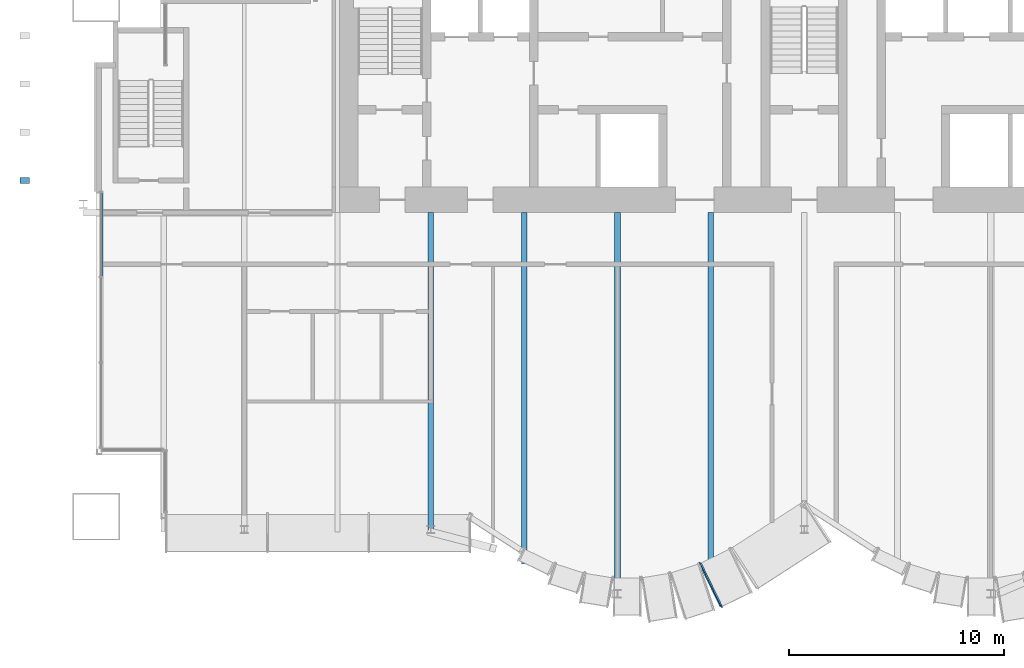
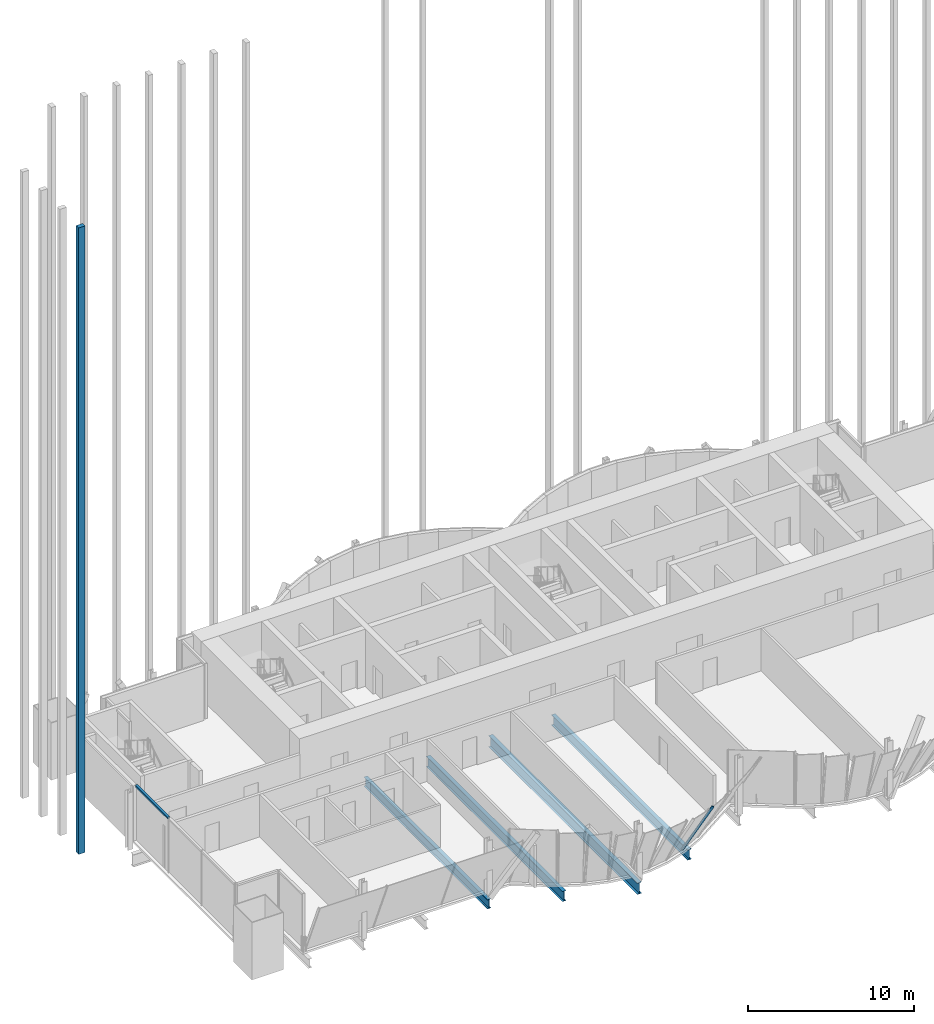
# One storey, part 6 of 28: 4 beams, 3 members, 3 elements without a shape of their own.
"""IFC4 building model written with IfcOpenShell, lengths in metres."""

from ifc_helpers import new_model, si_unit, direction, frame, origin, origin_2d, place, context, subcontext, project, spatial, rectangle, i_section, extrude, material, material_profile, profile_set, type_object, element, aggregate, save


model = new_model("IFC4")

# Units and contexts
model_context = context("Model", 3, precision=1e-05, world=origin(), true_north=direction((0.0, 1.0)))
body_context = subcontext(model_context, "Body", "Model", "MODEL_VIEW")
ifc_project = project(units=[si_unit("LENGTHUNIT", "METRE"), si_unit("AREAUNIT", "SQUARE_METRE"), si_unit("VOLUMEUNIT", "CUBIC_METRE"), si_unit("PLANEANGLEUNIT", "RADIAN"), si_unit("MASSUNIT", "GRAM", prefix="KILO")], contexts=[model_context])

# Site, building, storey
site_placement = place(None, origin())
site = spatial("IfcSite", under=ifc_project, at=site_placement, CompositionType="ELEMENT")
building_placement = place(site_placement, origin())
building = spatial("IfcBuilding", under=site, at=building_placement, Name="Bicima Exchange Tower", CompositionType="ELEMENT")
storey_placement = place(building_placement, frame((0.0, 0.0, 241.39990234375)))
storey = spatial("IfcBuildingStorey", under=building, at=storey_placement, Name="L54", CompositionType="ELEMENT", Elevation=241.39990234375)

# Curtain wall, member
ifc_material_1 = material(Name="Anodised bronze aluminium", Category="aluminium")
curtain_wall_type_1 = type_object("IfcCurtainWallType", Name="End face glass wall", PredefinedType="NOTDEFINED", material=ifc_material_1)
curtain_wall_1_placement = place(storey_placement, origin())
curtain_wall_1 = element("IfcCurtainWall", 1, at=curtain_wall_1_placement, inside=storey, type_object=curtain_wall_type_1, Name="End face glass wall L54 run 6", PredefinedType="NOTDEFINED")
ifc_material_profile_1 = material_profile(ifc_material_1, rectangle(XDim=0.159912109375, YDim=0.139892578125, at=origin_2d()))
ifc_profile_set_1 = profile_set([ifc_material_profile_1], Name="Anodised bronze aluminium")
member_type_1 = type_object("IfcMemberType", Name="End face glass wall transom 140 x 160", PredefinedType="USERDEFINED", material=ifc_profile_set_1)
member_1_placement = place(storey_placement, frame((-32.77001953125, -12.06005859375, 3.97998046875), z_axis=(0.0, -1.0, 0.0), x_axis=(1.0, 0.0, 0.0)))
member_1 = element("IfcMember", 2, at=member_1_placement, type_object=member_type_1, Name="End face glass wall transom 1.1", ObjectType="TRANSOM", PredefinedType="USERDEFINED", context=body_context, shape_type="SweptSolid", body=[
    extrude(rectangle(XDim=0.159912109375, YDim=0.139892578125, at=origin_2d()), origin(), (0.0, 0.0, 1.0), 3.91259765625),
])
aggregate(curtain_wall_1, [member_1])

# Beams
ifc_material_2 = material(Name="Steel ASTM A992 Gr 50", Category="steel")
ifc_material_profile_2 = material_profile(ifc_material_2, i_section(OverallWidth=0.25390625, OverallDepth=0.67822265625, WebThickness=0.01171875, FlangeThickness=0.016357421875, at=origin_2d()))
ifc_profile_set_2 = profile_set([ifc_material_profile_2], Name="Steel ASTM A992 Gr 50")
beam_type_1 = type_object("IfcBeamType", Name="Floor beam W27x84", PredefinedType="JOIST", material=ifc_profile_set_2)
beam_1_placement = place(storey_placement, frame((-17.39990234375, -13.0, -0.489013671875), z_axis=(0.0, -1.0, 0.0), x_axis=(1.0, 0.0, 0.0)))
element("IfcBeam", 3, at=beam_1_placement, inside=storey, type_object=beam_type_1, Name="Floor beam", PredefinedType="JOIST", context=body_context, shape_type="SweptSolid", body=[
    extrude(i_section(OverallWidth=0.25390625, OverallDepth=0.67822265625, WebThickness=0.01171875, FlangeThickness=0.016357421875, at=origin_2d()), origin(), (0.0, 0.0, 1.0), 14.887939453125),
])
ifc_material_profile_3 = material_profile(ifc_material_2, i_section(OverallWidth=0.2666015625, OverallDepth=0.75439453125, WebThickness=0.01318359375, FlangeThickness=0.01708984375, at=origin_2d()))
ifc_profile_set_3 = profile_set([ifc_material_profile_3], Name="Steel ASTM A992 Gr 50")
beam_type_2 = type_object("IfcBeamType", Name="Floor beam W30x99", PredefinedType="JOIST", material=ifc_profile_set_3)
for number, where, z_axis, x_axis, name in (
    (4, (-13.050048828125, -13.0, -0.527099609375), (0.0, -1.0, 0.0), (1.0, 0.0, 0.0), "Floor beam"),
    (5, (-4.35009765625, -13.0, -0.527099609375), (0.0, -1.0, 0.0), (1.0, 0.0, 0.0), "Floor beam"),
):
    element("IfcBeam", number, at=place(storey_placement, frame(where, z_axis=z_axis, x_axis=x_axis)), inside=storey, type_object=beam_type_2, Name=name, PredefinedType="JOIST", context=body_context, shape_type="SweptSolid", body=[
        extrude(i_section(OverallWidth=0.2666015625, OverallDepth=0.75439453125, WebThickness=0.01318359375, FlangeThickness=0.01708984375, at=origin_2d()), origin(), (0.0, 0.0, 1.0), 16.383544921875),
    ])
ifc_material_profile_4 = material_profile(ifc_material_2, i_section(OverallWidth=0.2919921875, OverallDepth=0.835693359375, WebThickness=0.013916015625, FlangeThickness=0.018798828125, at=origin_2d()))
ifc_profile_set_4 = profile_set([ifc_material_profile_4], Name="Steel ASTM A992 Gr 50")
beam_type_3 = type_object("IfcBeamType", Name="Floor beam W33x118", PredefinedType="JOIST", material=ifc_profile_set_4)
beam_2_placement = place(storey_placement, frame((-8.699951171875, -13.0, -0.567626953125), z_axis=(0.0, -1.0, 0.0), x_axis=(1.0, 0.0, 0.0)))
element("IfcBeam", 6, at=beam_2_placement, inside=storey, type_object=beam_type_3, Name="Floor beam", PredefinedType="JOIST", context=body_context, shape_type="SweptSolid", body=[
    extrude(i_section(OverallWidth=0.2919921875, OverallDepth=0.835693359375, WebThickness=0.013916015625, FlangeThickness=0.018798828125, at=origin_2d()), origin(), (0.0, 0.0, 1.0), 17.879150390625),
])

# Curtain wall, member
curtain_wall_type_2 = type_object("IfcCurtainWallType", Name="Front glass wall", PredefinedType="NOTDEFINED", material=ifc_material_1)
curtain_wall_2_placement = place(storey_placement, origin())
curtain_wall_2 = element("IfcCurtainWall", 7, at=curtain_wall_2_placement, inside=storey, type_object=curtain_wall_type_2, Name="Canted glass wall L54 43.1", PredefinedType="NOTDEFINED")
ifc_material_profile_5 = material_profile(ifc_material_1, rectangle(XDim=0.159912109375, YDim=0.06005859375, at=origin_2d()))
ifc_profile_set_5 = profile_set([ifc_material_profile_5], Name="Anodised bronze aluminium")
member_type_2 = type_object("IfcMemberType", Name="Front glass wall mullion 60 x 160", PredefinedType="MULLION", material=ifc_profile_set_5)
member_2_placement = place(storey_placement, frame((-4.8466796875, -29.344482421875, 0.0), z_axis=(0.211469154695, -0.436277051883, 0.874610273558), x_axis=(-0.73583556263, 0.517904002738, 0.436258488418)))
member_2 = element("IfcMember", 8, at=member_2_placement, type_object=member_type_2, Name="Canted glass mullion 1", PredefinedType="MULLION", context=body_context, shape_type="SweptSolid", body=[
    extrude(rectangle(XDim=0.159912109375, YDim=0.06005859375, at=origin_2d()), origin(), (0.0, 0.0, 1.0), 4.630615234375),
])
aggregate(curtain_wall_2, [member_2])

curtain_wall_type_3 = type_object("IfcCurtainWallType", Name="Rear blade screen", PredefinedType="NOTDEFINED", material=ifc_material_1)
curtain_wall_3_placement = place(storey_placement, origin())
curtain_wall_3 = element("IfcCurtainWall", 9, at=curtain_wall_3_placement, inside=storey, type_object=curtain_wall_type_3, Name="End blade screen L54-L64", PredefinedType="NOTDEFINED")
ifc_material_profile_6 = material_profile(ifc_material_1, rectangle(XDim=0.449951171875, YDim=0.300048828125, at=origin_2d()))
ifc_profile_set_6 = profile_set([ifc_material_profile_6], Name="Anodised bronze aluminium")
member_type_3 = type_object("IfcMemberType", Name="Rear blade fin 450 x 300", PredefinedType="USERDEFINED", material=ifc_profile_set_6)
member_3_placement = place(storey_placement, frame((-36.324951171875, -11.5, 0.0), z_axis=(0.0, 0.0, 1.0), x_axis=(1.0, 0.0, 0.0)))
member_3 = element("IfcMember", 10, at=member_3_placement, type_object=member_type_3, Name="End blade fin L54-L64 1", ObjectType="FIN", PredefinedType="USERDEFINED", context=body_context, shape_type="SweptSolid", body=[
    extrude(rectangle(XDim=0.449951171875, YDim=0.300048828125, at=origin_2d()), origin(), (0.0, 0.0, 1.0), 46.0),
])
aggregate(curtain_wall_3, [member_3])

save(model, "model.ifc")
